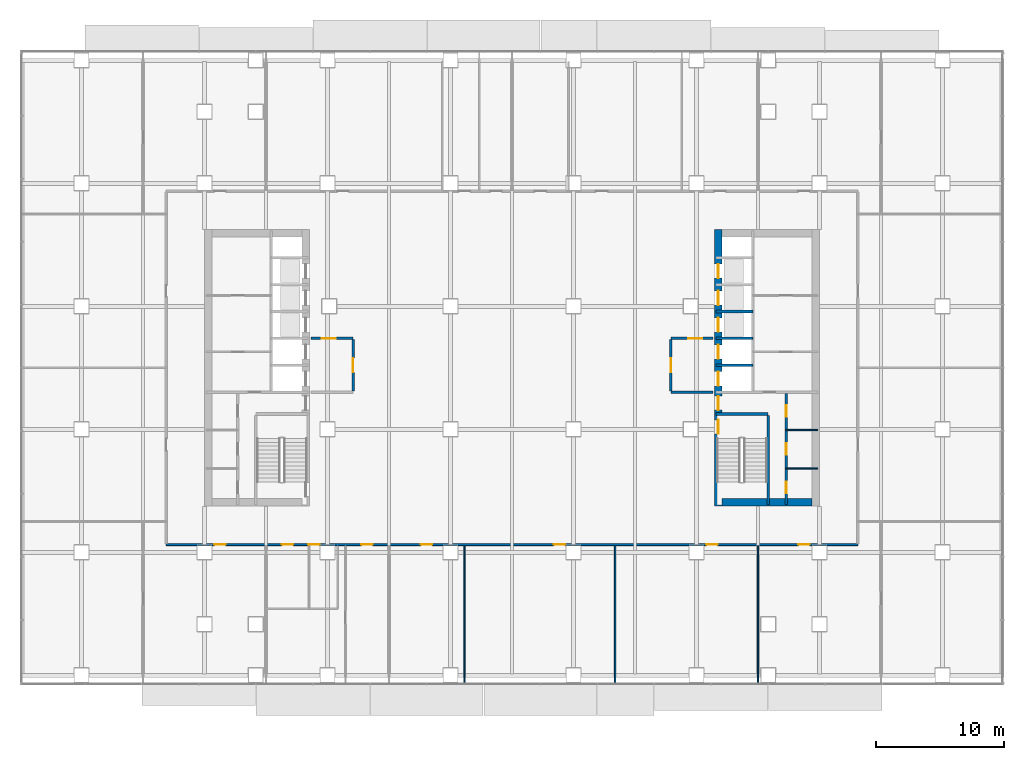
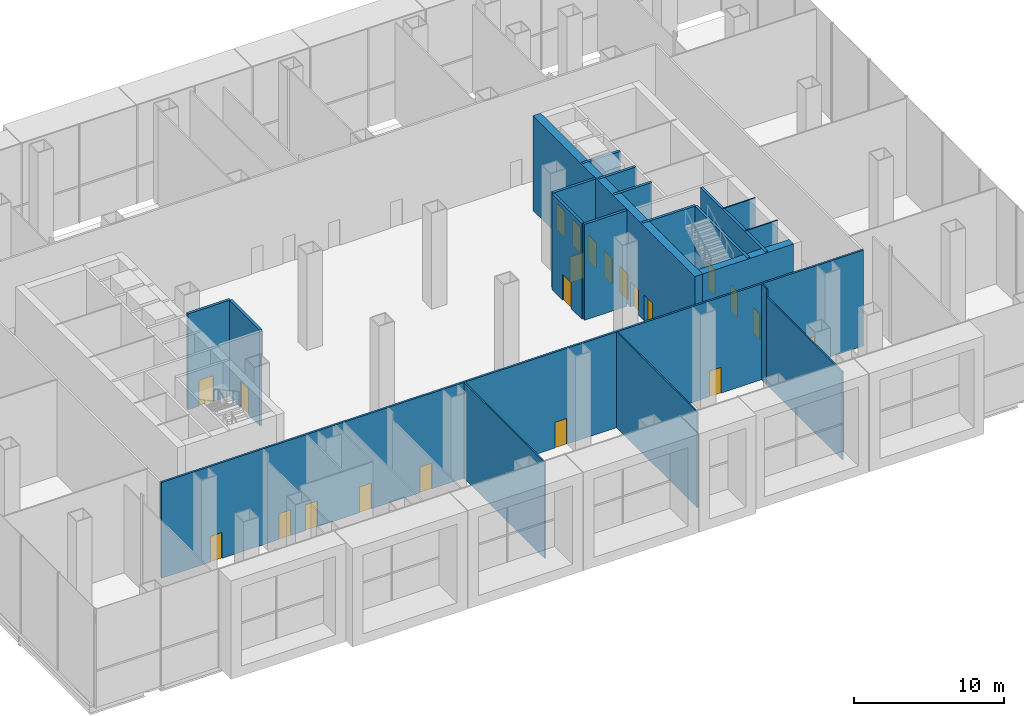
# One storey, part 16 of 24: 22 doors, 20 walls, 22 openings.
"""IFC4 building model written with IfcOpenShell, lengths in metres."""

from ifc_helpers import new_model, si_unit, direction, frame, frame_2d, origin, place, context, subcontext, project, spatial, rectangle, extrude, material, layer, layer_set, type_object, element, fill, save


model = new_model("IFC4")

# Units and contexts
model_context = context("Model", 3, precision=1e-05, world=origin(), true_north=direction((0.0, 1.0)))
body_context = subcontext(model_context, "Body", "Model", "MODEL_VIEW")
ifc_project = project(units=[si_unit("LENGTHUNIT", "METRE"), si_unit("AREAUNIT", "SQUARE_METRE"), si_unit("VOLUMEUNIT", "CUBIC_METRE"), si_unit("PLANEANGLEUNIT", "RADIAN"), si_unit("MASSUNIT", "GRAM", prefix="KILO")], contexts=[model_context])

# Site, building, storey
site_placement = place(None, origin())
site = spatial("IfcSite", under=ifc_project, at=site_placement, CompositionType="ELEMENT")
building_placement = place(site_placement, origin())
building = spatial("IfcBuilding", under=site, at=building_placement, Name="Cobrizo Arcos Hotel Tower", CompositionType="ELEMENT")
storey_placement = place(building_placement, frame((0.0, 0.0, 7.5)))
storey = spatial("IfcBuildingStorey", under=building, at=storey_placement, Name="L01", CompositionType="ELEMENT", Elevation=7.5)

# Wall, openings, doors
ifc_material_1 = material(Name="Gypsum board partition")
ifc_layer_1 = layer(ifc_material_1, 0.14990234375)
ifc_layer_set_1 = layer_set([ifc_layer_1], Name="Corridor wall EI 60 150")
wall_type_1 = type_object("IfcWallType", Name="Corridor wall EI 60 150", PredefinedType="PARTITIONING", material=ifc_layer_set_1)
wall_1_placement = place(storey_placement, frame((-27.0, -13.800048828125, 0.0), z_axis=(0.0, 0.0, 1.0), x_axis=(1.0, 0.0, 0.0)))
wall_1 = element("IfcWall", 1, at=wall_1_placement, inside=storey, type_object=wall_type_1, Name="Partition 002", PredefinedType="PARTITIONING", context=body_context, shape_type="SweptSolid", body=[
    extrude(rectangle(XDim=54.0, YDim=0.14990234375, at=frame_2d((27.0, 0.0))), origin(), (0.0, 0.0, 1.0), 7.800048828125),
])
opening_1_placement = place(wall_1_placement, frame((9.030029296875, 0.0, 0.0)))
opening_1 = element("IfcOpeningElement", 2, at=opening_1_placement, cuts=wall_1, Name="Opening ED-03", PredefinedType="OPENING", context=body_context, shape_type="SweptSolid", body=[
    extrude(rectangle(XDim=0.89990234375, YDim=2.10009765625, at=frame_2d((0.449951171875, 1.050048828125))), frame((0.0, 0.0869140625, 0.0), z_axis=(0.0, -1.0, 0.0), x_axis=(1.0, 0.0, 0.0)), (0.0, 0.0, 1.0), 0.173828125),
])
opening_2_placement = place(wall_1_placement, frame((11.080078125, 0.0, 0.0)))
opening_2 = element("IfcOpeningElement", 3, at=opening_2_placement, cuts=wall_1, Name="Opening ED-04", PredefinedType="OPENING", context=body_context, shape_type="SweptSolid", body=[
    extrude(rectangle(XDim=0.89990234375, YDim=2.10009765625, at=frame_2d((0.449951171875, 1.050048828125))), frame((0.0, 0.0869140625, 0.0), z_axis=(0.0, -1.0, 0.0), x_axis=(1.0, 0.0, 0.0)), (0.0, 0.0, 1.0), 0.173828125),
])
opening_3_placement = place(wall_1_placement, frame((19.89111328125, 0.0, 0.0)))
opening_3 = element("IfcOpeningElement", 4, at=opening_3_placement, cuts=wall_1, Name="Opening RD-16", PredefinedType="OPENING", context=body_context, shape_type="SweptSolid", body=[
    extrude(rectangle(XDim=0.89990234375, YDim=2.10009765625, at=frame_2d((0.449951171875, 1.050048828125))), frame((0.0, 0.0869140625, 0.0), z_axis=(0.0, -1.0, 0.0), x_axis=(1.0, 0.0, 0.0)), (0.0, 0.0, 1.0), 0.173828125),
])
opening_4_placement = place(wall_1_placement, frame((30.27392578125, 0.0, 0.0)))
opening_4 = element("IfcOpeningElement", 5, at=opening_4_placement, cuts=wall_1, Name="Opening RD-17", PredefinedType="OPENING", context=body_context, shape_type="SweptSolid", body=[
    extrude(rectangle(XDim=0.89990234375, YDim=2.10009765625, at=frame_2d((0.449951171875, 1.050048828125))), frame((0.0, 0.0869140625, 0.0), z_axis=(0.0, -1.0, 0.0), x_axis=(1.0, 0.0, 0.0)), (0.0, 0.0, 1.0), 0.173828125),
])
opening_5_placement = place(wall_1_placement, frame((3.75, 0.0, 0.0)))
opening_5 = element("IfcOpeningElement", 6, at=opening_5_placement, cuts=wall_1, Name="Opening RD-18", PredefinedType="OPENING", context=body_context, shape_type="SweptSolid", body=[
    extrude(rectangle(XDim=0.89990234375, YDim=2.10009765625, at=frame_2d((0.449951171875, 1.050048828125))), frame((0.0, 0.0869140625, 0.0), z_axis=(0.0, -1.0, 0.0), x_axis=(1.0, 0.0, 0.0)), (0.0, 0.0, 1.0), 0.173828125),
])
opening_6_placement = place(wall_1_placement, frame((49.35009765625, 0.0, 0.0)))
opening_6 = element("IfcOpeningElement", 7, at=opening_6_placement, cuts=wall_1, Name="Opening RD-22", PredefinedType="OPENING", context=body_context, shape_type="SweptSolid", body=[
    extrude(rectangle(XDim=0.89990234375, YDim=2.10009765625, at=frame_2d((0.449951171875, 1.050048828125))), frame((0.0, 0.0869140625, 0.0), z_axis=(0.0, -1.0, 0.0), x_axis=(1.0, 0.0, 0.0)), (0.0, 0.0, 1.0), 0.173828125),
])
opening_7_placement = place(wall_1_placement, frame((42.14990234375, 0.0, 0.0)))
opening_7 = element("IfcOpeningElement", 8, at=opening_7_placement, cuts=wall_1, Name="Opening RD-26", PredefinedType="OPENING", context=body_context, shape_type="SweptSolid", body=[
    extrude(rectangle(XDim=0.89990234375, YDim=2.10009765625, at=frame_2d((0.449951171875, 1.050048828125))), frame((0.0, 0.0869140625, 0.0), z_axis=(0.0, -1.0, 0.0), x_axis=(1.0, 0.0, 0.0)), (0.0, 0.0, 1.0), 0.173828125),
])
opening_8_placement = place(wall_1_placement, frame((15.239013671875, 0.0, 0.0)))
opening_8 = element("IfcOpeningElement", 9, at=opening_8_placement, cuts=wall_1, Name="Opening RD-27", PredefinedType="OPENING", context=body_context, shape_type="SweptSolid", body=[
    extrude(rectangle(XDim=0.89990234375, YDim=2.10009765625, at=frame_2d((0.449951171875, 1.050048828125))), frame((0.0, 0.0869140625, 0.0), z_axis=(0.0, -1.0, 0.0), x_axis=(1.0, 0.0, 0.0)), (0.0, 0.0, 1.0), 0.173828125),
])
ifc_material_2 = material(Name="Timber door leaf", Category="wood")
door_type_1 = type_object("IfcDoorType", Name="En-suite door 900x2100", OperationType="SINGLE_SWING_LEFT", PredefinedType="DOOR", material=ifc_material_2)
door_1_placement = place(opening_1_placement, origin())
door_1 = element("IfcDoor", 10, at=door_1_placement, inside=storey, type_object=door_type_1, Name="Door ED-03", OperationType="SINGLE_SWING_LEFT", OverallHeight=2.10009765625, OverallWidth=0.89990234375, PredefinedType="DOOR", context=body_context, shape_type="SweptSolid", body=[
    extrude(rectangle(XDim=0.89990234375, YDim=2.10009765625, at=frame_2d((0.449951171875, 1.050048828125))), frame((0.0, 0.02490234375, 0.0), z_axis=(0.0, -1.0, 0.0), x_axis=(1.0, 0.0, 0.0)), (0.0, 0.0, 1.0), 0.050048828125),
])
fill(opening_1, door_1)
door_2_placement = place(opening_2_placement, origin())
door_2 = element("IfcDoor", 11, at=door_2_placement, inside=storey, type_object=door_type_1, Name="Door ED-04", OperationType="SINGLE_SWING_LEFT", OverallHeight=2.10009765625, OverallWidth=0.89990234375, PredefinedType="DOOR", context=body_context, shape_type="SweptSolid", body=[
    extrude(rectangle(XDim=0.89990234375, YDim=2.10009765625, at=frame_2d((0.449951171875, 1.050048828125))), frame((0.0, 0.02490234375, 0.0), z_axis=(0.0, -1.0, 0.0), x_axis=(1.0, 0.0, 0.0)), (0.0, 0.0, 1.0), 0.050048828125),
])
fill(opening_2, door_2)
door_type_2 = type_object("IfcDoorType", Name="Room door FD30 900x2100", OperationType="SINGLE_SWING_LEFT", PredefinedType="DOOR", material=ifc_material_2)
door_3_placement = place(opening_3_placement, origin())
door_3 = element("IfcDoor", 12, at=door_3_placement, inside=storey, type_object=door_type_2, Name="Door RD-16", OperationType="SINGLE_SWING_RIGHT", OverallHeight=2.10009765625, OverallWidth=0.89990234375, PredefinedType="DOOR", context=body_context, shape_type="SweptSolid", body=[
    extrude(rectangle(XDim=0.89990234375, YDim=2.10009765625, at=frame_2d((0.449951171875, 1.050048828125))), frame((0.0, 0.02490234375, 0.0), z_axis=(0.0, -1.0, 0.0), x_axis=(1.0, 0.0, 0.0)), (0.0, 0.0, 1.0), 0.050048828125),
])
fill(opening_3, door_3)
door_4_placement = place(opening_4_placement, origin())
door_4 = element("IfcDoor", 13, at=door_4_placement, inside=storey, type_object=door_type_2, Name="Door RD-17", OperationType="SINGLE_SWING_RIGHT", OverallHeight=2.10009765625, OverallWidth=0.89990234375, PredefinedType="DOOR", context=body_context, shape_type="SweptSolid", body=[
    extrude(rectangle(XDim=0.89990234375, YDim=2.10009765625, at=frame_2d((0.449951171875, 1.050048828125))), frame((0.0, 0.02490234375, 0.0), z_axis=(0.0, -1.0, 0.0), x_axis=(1.0, 0.0, 0.0)), (0.0, 0.0, 1.0), 0.050048828125),
])
fill(opening_4, door_4)
door_5_placement = place(opening_5_placement, origin())
door_5 = element("IfcDoor", 14, at=door_5_placement, inside=storey, type_object=door_type_2, Name="Door RD-18", OperationType="SINGLE_SWING_RIGHT", OverallHeight=2.10009765625, OverallWidth=0.89990234375, PredefinedType="DOOR", context=body_context, shape_type="SweptSolid", body=[
    extrude(rectangle(XDim=0.89990234375, YDim=2.10009765625, at=frame_2d((0.449951171875, 1.050048828125))), frame((0.0, 0.02490234375, 0.0), z_axis=(0.0, -1.0, 0.0), x_axis=(1.0, 0.0, 0.0)), (0.0, 0.0, 1.0), 0.050048828125),
])
fill(opening_5, door_5)
door_6_placement = place(opening_6_placement, origin())
door_6 = element("IfcDoor", 15, at=door_6_placement, inside=storey, type_object=door_type_2, Name="Door RD-22", OperationType="SINGLE_SWING_LEFT", OverallHeight=2.10009765625, OverallWidth=0.89990234375, PredefinedType="DOOR", context=body_context, shape_type="SweptSolid", body=[
    extrude(rectangle(XDim=0.89990234375, YDim=2.10009765625, at=frame_2d((0.449951171875, 1.050048828125))), frame((0.0, 0.02490234375, 0.0), z_axis=(0.0, -1.0, 0.0), x_axis=(1.0, 0.0, 0.0)), (0.0, 0.0, 1.0), 0.050048828125),
])
fill(opening_6, door_6)
door_7_placement = place(opening_7_placement, origin())
door_7 = element("IfcDoor", 16, at=door_7_placement, inside=storey, type_object=door_type_2, Name="Door RD-26", OperationType="SINGLE_SWING_RIGHT", OverallHeight=2.10009765625, OverallWidth=0.89990234375, PredefinedType="DOOR", context=body_context, shape_type="SweptSolid", body=[
    extrude(rectangle(XDim=0.89990234375, YDim=2.10009765625, at=frame_2d((0.449951171875, 1.050048828125))), frame((0.0, 0.02490234375, 0.0), z_axis=(0.0, -1.0, 0.0), x_axis=(1.0, 0.0, 0.0)), (0.0, 0.0, 1.0), 0.050048828125),
])
fill(opening_7, door_7)
door_8_placement = place(opening_8_placement, origin())
door_8 = element("IfcDoor", 17, at=door_8_placement, inside=storey, type_object=door_type_2, Name="Door RD-27", OperationType="SINGLE_SWING_LEFT", OverallHeight=2.10009765625, OverallWidth=0.89990234375, PredefinedType="DOOR", context=body_context, shape_type="SweptSolid", body=[
    extrude(rectangle(XDim=0.89990234375, YDim=2.10009765625, at=frame_2d((0.449951171875, 1.050048828125))), frame((0.0, 0.02490234375, 0.0), z_axis=(0.0, -1.0, 0.0), x_axis=(1.0, 0.0, 0.0)), (0.0, 0.0, 1.0), 0.050048828125),
])
fill(opening_8, door_8)

# Walls
ifc_layer_2 = layer(ifc_material_1, 0.10009765625)
ifc_layer_set_2 = layer_set([ifc_layer_2], Name="Partition EI 30 100")
wall_type_2 = type_object("IfcWallType", Name="Partition EI 30 100", PredefinedType="PARTITIONING", material=ifc_layer_set_2)
for number, where, z_axis, x_axis, name in (
    (18, (21.39990234375, -7.85009765625, 0.0), (0.0, 0.0, 1.0), (1.0, 0.0, 0.0), "Partition 006"),
    (19, (21.39990234375, -4.85009765625, 0.0), (0.0, 0.0, 1.0), (1.0, 0.0, 0.0), "Partition 008"),
):
    element("IfcWall", number, at=place(storey_placement, frame(where, z_axis=z_axis, x_axis=x_axis)), inside=storey, type_object=wall_type_2, Name=name, PredefinedType="PARTITIONING", context=body_context, shape_type="SweptSolid", body=[
        extrude(rectangle(XDim=2.47998046875, YDim=0.10009765625, at=frame_2d((1.239990234375, 0.0))), origin(), (0.0, 0.0, 1.0), 7.699951171875),
    ])
for number, where, z_axis, x_axis, name in (
    (20, (-3.699951171875, -24.6298828125, 0.0), (0.0, 0.0, 1.0), (0.0, 1.0, 0.0), "Partition 057"),
    (21, (8.050048828125, -24.6298828125, 0.0), (0.0, 0.0, 1.0), (0.0, 1.0, 0.0), "Partition 062"),
):
    element("IfcWall", number, at=place(storey_placement, frame(where, z_axis=z_axis, x_axis=x_axis)), inside=storey, type_object=wall_type_2, Name=name, PredefinedType="PARTITIONING", context=body_context, shape_type="SweptSolid", body=[
        extrude(rectangle(XDim=10.7548828125, YDim=0.10009765625, at=frame_2d((5.37744140625, 0.0))), origin(), (0.0, 0.0, 1.0), 7.800048828125),
    ])
wall_2_placement = place(storey_placement, frame((19.199951171875, -24.6298828125, 0.0), z_axis=(0.0, 0.0, 1.0), x_axis=(0.0, 1.0, 0.0)))
element("IfcWall", 22, at=wall_2_placement, inside=storey, type_object=wall_type_2, Name="Partition 066", PredefinedType="PARTITIONING", context=body_context, shape_type="SweptSolid", body=[
    extrude(rectangle(XDim=10.076171875, YDim=0.10009765625, at=frame_2d((5.0380859375, 0.0))), origin(), (0.0, 0.0, 1.0), 7.18310546875),
])
wall_3_placement = place(storey_placement, frame((19.199951171875, -14.553955078125, 0.0), z_axis=(0.0, 0.0, 1.0), x_axis=(0.0, 1.0, 0.0)))
element("IfcWall", 23, at=wall_3_placement, inside=storey, type_object=wall_type_2, Name="Partition 067", PredefinedType="PARTITIONING", context=body_context, shape_type="SweptSolid", body=[
    extrude(rectangle(XDim=0.678955078125, YDim=0.10009765625, at=frame_2d((0.33935546875, 0.0))), origin(), (0.0, 0.0, 1.0), 7.800048828125),
])

# Wall, openings, doors
ifc_material_3 = material(Name="Concrete f'c 60 MPa", Category="concrete")
ifc_layer_3 = layer(ifc_material_3, 0.60009765625)
ifc_layer_set_3 = layer_set([ifc_layer_3], Name="RC core wall 600 f'c 60")
wall_type_3 = type_object("IfcWallType", Name="RC core wall 600 f'c 60", PredefinedType="SHEAR", material=ifc_layer_set_3)
wall_4_placement = place(storey_placement, frame((16.10009765625, -10.800048828125, 0.0), z_axis=(0.0, 0.0, 1.0), x_axis=(0.0, 1.0, 0.0)))
wall_4 = element("IfcWall", 24, at=wall_4_placement, inside=storey, type_object=wall_type_3, Name="Core wall CW1, east core, inner face, L01", PredefinedType="SHEAR", context=body_context, shape_type="SweptSolid", body=[
    extrude(rectangle(XDim=21.60009765625, YDim=0.60009765625, at=frame_2d((10.800048828125, 0.0))), origin(), (0.0, 0.0, 1.0), 7.699951171875),
])
opening_9_placement = place(wall_4_placement, frame((9.39990234375, 0.0, 0.0)))
opening_9 = element("IfcOpeningElement", 25, at=opening_9_placement, cuts=wall_4, Name="Opening LD-06", PredefinedType="OPENING", context=body_context, shape_type="SweptSolid", body=[
    extrude(rectangle(XDim=1.10009765625, YDim=2.10009765625, at=frame_2d((0.550048828125, 1.050048828125))), frame((0.0, 0.31201171875, 0.0), z_axis=(0.0, -1.0, 0.0), x_axis=(1.0, 0.0, 0.0)), (0.0, 0.0, 1.0), 0.6240234375),
])
opening_10_placement = place(wall_4_placement, frame((11.5, 0.0, 0.0)))
opening_10 = element("IfcOpeningElement", 26, at=opening_10_placement, cuts=wall_4, Name="Opening LD-07", PredefinedType="OPENING", context=body_context, shape_type="SweptSolid", body=[
    extrude(rectangle(XDim=1.10009765625, YDim=2.10009765625, at=frame_2d((0.550048828125, 1.050048828125))), frame((0.0, 0.31201171875, 0.0), z_axis=(0.0, -1.0, 0.0), x_axis=(1.0, 0.0, 0.0)), (0.0, 0.0, 1.0), 0.6240234375),
])
opening_11_placement = place(wall_4_placement, frame((13.60009765625, 0.0, 0.0)))
opening_11 = element("IfcOpeningElement", 27, at=opening_11_placement, cuts=wall_4, Name="Opening LD-08", PredefinedType="OPENING", context=body_context, shape_type="SweptSolid", body=[
    extrude(rectangle(XDim=1.10009765625, YDim=2.10009765625, at=frame_2d((0.550048828125, 1.050048828125))), frame((0.0, 0.31201171875, 0.0), z_axis=(0.0, -1.0, 0.0), x_axis=(1.0, 0.0, 0.0)), (0.0, 0.0, 1.0), 0.6240234375),
])
opening_12_placement = place(wall_4_placement, frame((15.699951171875, 0.0, 0.0)))
opening_12 = element("IfcOpeningElement", 28, at=opening_12_placement, cuts=wall_4, Name="Opening LD-09", PredefinedType="OPENING", context=body_context, shape_type="SweptSolid", body=[
    extrude(rectangle(XDim=1.10009765625, YDim=2.10009765625, at=frame_2d((0.550048828125, 1.050048828125))), frame((0.0, 0.31201171875, 0.0), z_axis=(0.0, -1.0, 0.0), x_axis=(1.0, 0.0, 0.0)), (0.0, 0.0, 1.0), 0.6240234375),
])
opening_13_placement = place(wall_4_placement, frame((17.800048828125, 0.0, 0.0)))
opening_13 = element("IfcOpeningElement", 29, at=opening_13_placement, cuts=wall_4, Name="Opening LD-10", PredefinedType="OPENING", context=body_context, shape_type="SweptSolid", body=[
    extrude(rectangle(XDim=1.10009765625, YDim=2.10009765625, at=frame_2d((0.550048828125, 1.050048828125))), frame((0.0, 0.31201171875, 0.0), z_axis=(0.0, -1.0, 0.0), x_axis=(1.0, 0.0, 0.0)), (0.0, 0.0, 1.0), 0.6240234375),
])
opening_14_placement = place(wall_4_placement, frame((5.64208984375, 0.0, 0.0)))
opening_14 = element("IfcOpeningElement", 30, at=opening_14_placement, cuts=wall_4, Name="Opening SD-02", PredefinedType="OPENING", context=body_context, shape_type="SweptSolid", body=[
    extrude(rectangle(XDim=1.10009765625, YDim=2.10009765625, at=frame_2d((0.550048828125, 1.050048828125))), frame((0.0, 0.31201171875, 0.0), z_axis=(0.0, -1.0, 0.0), x_axis=(1.0, 0.0, 0.0)), (0.0, 0.0, 1.0), 0.6240234375),
])
opening_15_placement = place(wall_4_placement, frame((7.5, 0.0, 0.0)))
opening_15 = element("IfcOpeningElement", 31, at=opening_15_placement, cuts=wall_4, Name="Opening FD-04", PredefinedType="OPENING", context=body_context, shape_type="SweptSolid", body=[
    extrude(rectangle(XDim=1.10009765625, YDim=2.10009765625, at=frame_2d((0.550048828125, 1.050048828125))), frame((0.0, 0.31201171875, 0.0), z_axis=(0.0, -1.0, 0.0), x_axis=(1.0, 0.0, 0.0)), (0.0, 0.0, 1.0), 0.6240234375),
])
ifc_material_4 = material(Name="Steel door leaf", Category="steel")
door_type_3 = type_object("IfcDoorType", Name="Fire door FD60 1100x2100", OperationType="SINGLE_SWING_LEFT", PredefinedType="DOOR", material=ifc_material_4)
door_9_placement = place(opening_15_placement, origin())
door_9 = element("IfcDoor", 32, at=door_9_placement, inside=storey, type_object=door_type_3, Name="Door FD-04", OperationType="SINGLE_SWING_RIGHT", OverallHeight=2.10009765625, OverallWidth=1.10009765625, PredefinedType="DOOR", context=body_context, shape_type="SweptSolid", body=[
    extrude(rectangle(XDim=1.10009765625, YDim=2.10009765625, at=frame_2d((0.550048828125, 1.050048828125))), frame((0.0, 0.02490234375, 0.0), z_axis=(0.0, -1.0, 0.0), x_axis=(1.0, 0.0, 0.0)), (0.0, 0.0, 1.0), 0.050048828125),
])
fill(opening_15, door_9)
door_type_4 = type_object("IfcDoorType", Name="Lift landing door 1100x2100", OperationType="SLIDING_TO_LEFT", PredefinedType="DOOR", material=ifc_material_4)
door_10_placement = place(opening_9_placement, origin())
door_10 = element("IfcDoor", 33, at=door_10_placement, inside=storey, type_object=door_type_4, Name="Lift landing door LD-06", OperationType="SLIDING_TO_LEFT", OverallHeight=2.10009765625, OverallWidth=1.10009765625, PredefinedType="DOOR", context=body_context, shape_type="SweptSolid", body=[
    extrude(rectangle(XDim=1.10009765625, YDim=2.10009765625, at=frame_2d((0.550048828125, 1.050048828125))), frame((0.0, 0.02490234375, 0.0), z_axis=(0.0, -1.0, 0.0), x_axis=(1.0, 0.0, 0.0)), (0.0, 0.0, 1.0), 0.050048828125),
])
fill(opening_9, door_10)
door_11_placement = place(opening_10_placement, origin())
door_11 = element("IfcDoor", 34, at=door_11_placement, inside=storey, type_object=door_type_4, Name="Lift landing door LD-07", OperationType="SLIDING_TO_LEFT", OverallHeight=2.10009765625, OverallWidth=1.10009765625, PredefinedType="DOOR", context=body_context, shape_type="SweptSolid", body=[
    extrude(rectangle(XDim=1.10009765625, YDim=2.10009765625, at=frame_2d((0.550048828125, 1.050048828125))), frame((0.0, 0.02490234375, 0.0), z_axis=(0.0, -1.0, 0.0), x_axis=(1.0, 0.0, 0.0)), (0.0, 0.0, 1.0), 0.050048828125),
])
fill(opening_10, door_11)
door_12_placement = place(opening_11_placement, origin())
door_12 = element("IfcDoor", 35, at=door_12_placement, inside=storey, type_object=door_type_4, Name="Lift landing door LD-08", OperationType="SLIDING_TO_LEFT", OverallHeight=2.10009765625, OverallWidth=1.10009765625, PredefinedType="DOOR", context=body_context, shape_type="SweptSolid", body=[
    extrude(rectangle(XDim=1.10009765625, YDim=2.10009765625, at=frame_2d((0.550048828125, 1.050048828125))), frame((0.0, 0.02490234375, 0.0), z_axis=(0.0, -1.0, 0.0), x_axis=(1.0, 0.0, 0.0)), (0.0, 0.0, 1.0), 0.050048828125),
])
fill(opening_11, door_12)
door_13_placement = place(opening_12_placement, origin())
door_13 = element("IfcDoor", 36, at=door_13_placement, inside=storey, type_object=door_type_4, Name="Lift landing door LD-09", OperationType="SLIDING_TO_LEFT", OverallHeight=2.10009765625, OverallWidth=1.10009765625, PredefinedType="DOOR", context=body_context, shape_type="SweptSolid", body=[
    extrude(rectangle(XDim=1.10009765625, YDim=2.10009765625, at=frame_2d((0.550048828125, 1.050048828125))), frame((0.0, 0.02490234375, 0.0), z_axis=(0.0, -1.0, 0.0), x_axis=(1.0, 0.0, 0.0)), (0.0, 0.0, 1.0), 0.050048828125),
])
fill(opening_12, door_13)
door_14_placement = place(opening_13_placement, origin())
door_14 = element("IfcDoor", 37, at=door_14_placement, inside=storey, type_object=door_type_4, Name="Lift landing door LD-10", OperationType="SLIDING_TO_LEFT", OverallHeight=2.10009765625, OverallWidth=1.10009765625, PredefinedType="DOOR", context=body_context, shape_type="SweptSolid", body=[
    extrude(rectangle(XDim=1.10009765625, YDim=2.10009765625, at=frame_2d((0.550048828125, 1.050048828125))), frame((0.0, 0.02490234375, 0.0), z_axis=(0.0, -1.0, 0.0), x_axis=(1.0, 0.0, 0.0)), (0.0, 0.0, 1.0), 0.050048828125),
])
fill(opening_13, door_14)
door_type_5 = type_object("IfcDoorType", Name="Stair door FD60S 1100x2100", OperationType="SINGLE_SWING_LEFT", PredefinedType="DOOR", material=ifc_material_4)
door_15_placement = place(opening_14_placement, origin())
door_15 = element("IfcDoor", 38, at=door_15_placement, inside=storey, type_object=door_type_5, Name="Door SD-02", OperationType="SINGLE_SWING_RIGHT", OverallHeight=2.10009765625, OverallWidth=1.10009765625, PredefinedType="DOOR", context=body_context, shape_type="SweptSolid", body=[
    extrude(rectangle(XDim=1.10009765625, YDim=2.10009765625, at=frame_2d((0.550048828125, 1.050048828125))), frame((0.0, 0.02490234375, 0.0), z_axis=(0.0, -1.0, 0.0), x_axis=(1.0, 0.0, 0.0)), (0.0, 0.0, 1.0), 0.050048828125),
])
fill(opening_14, door_15)

# Walls
wall_5_placement = place(storey_placement, frame((16.39990234375, -10.5, 0.0), z_axis=(0.0, 0.0, 1.0), x_axis=(1.0, 0.0, 0.0)))
element("IfcWall", 39, at=wall_5_placement, inside=storey, type_object=wall_type_3, Name="Core wall CW1, east core, south end, L01", PredefinedType="SHEAR", context=body_context, shape_type="SweptSolid", body=[
    extrude(rectangle(XDim=7.0, YDim=0.60009765625, at=frame_2d((3.5, 0.0))), origin(), (0.0, 0.0, 1.0), 7.699951171875),
])
ifc_layer_4 = layer(ifc_material_1, 0.199951171875)
ifc_layer_set_4 = layer_set([ifc_layer_4], Name="Shaft wall EI 120 200")
wall_type_4 = type_object("IfcWallType", Name="Shaft wall EI 120 200", PredefinedType="PARTITIONING", material=ifc_layer_set_4)
wall_6_placement = place(storey_placement, frame((12.39990234375, -1.89990234375, 0.0), z_axis=(0.0, 0.0, 1.0), x_axis=(1.0, 0.0, 0.0)))
element("IfcWall", 40, at=wall_6_placement, inside=storey, type_object=wall_type_4, Name="Partition 013", PredefinedType="PARTITIONING", context=body_context, shape_type="SweptSolid", body=[
    extrude(rectangle(XDim=3.280029296875, YDim=0.199951171875, at=frame_2d((1.64013671875, 0.0))), origin(), (0.0, 0.0, 1.0), 7.800048828125),
])
wall_7_placement = place(storey_placement, frame((15.919921875, 0.199951171875, 0.0), z_axis=(0.0, 0.0, 1.0), x_axis=(1.0, 0.0, 0.0)))
element("IfcWall", 41, at=wall_7_placement, inside=storey, type_object=wall_type_4, Name="Partition 018", PredefinedType="PARTITIONING", context=body_context, shape_type="SweptSolid", body=[
    extrude(rectangle(XDim=2.880126953125, YDim=0.199951171875, at=frame_2d((1.43994140625, 0.0))), origin(), (0.0, 0.0, 1.0), 7.699951171875),
])

# Wall, opening, door
wall_8_placement = place(storey_placement, frame((-15.679931640625, 2.300048828125, 0.0), z_axis=(0.0, 0.0, 1.0), x_axis=(1.0, 0.0, 0.0)))
wall_8 = element("IfcWall", 42, at=wall_8_placement, inside=storey, type_object=wall_type_4, Name="Partition 022", PredefinedType="PARTITIONING", context=body_context, shape_type="SweptSolid", body=[
    extrude(rectangle(XDim=3.280029296875, YDim=0.199951171875, at=frame_2d((1.64013671875, 0.0))), origin(), (0.0, 0.0, 1.0), 7.800048828125),
])
opening_16_placement = place(wall_8_placement, frame((0.840087890625, 0.0, 0.0)))
opening_16 = element("IfcOpeningElement", 43, at=opening_16_placement, cuts=wall_8, Name="Opening FD-03", PredefinedType="OPENING", context=body_context, shape_type="SweptSolid", body=[
    extrude(rectangle(XDim=1.10009765625, YDim=2.10009765625, at=frame_2d((0.550048828125, 1.050048828125))), frame((0.0, 0.112060546875, 0.0), z_axis=(0.0, -1.0, 0.0), x_axis=(1.0, 0.0, 0.0)), (0.0, 0.0, 1.0), 0.223876953125),
])
door_16_placement = place(opening_16_placement, origin())
door_16 = element("IfcDoor", 44, at=door_16_placement, inside=storey, type_object=door_type_3, Name="Door FD-03", OperationType="SINGLE_SWING_RIGHT", OverallHeight=2.10009765625, OverallWidth=1.10009765625, PredefinedType="DOOR", context=body_context, shape_type="SweptSolid", body=[
    extrude(rectangle(XDim=1.10009765625, YDim=2.10009765625, at=frame_2d((0.550048828125, 1.050048828125))), frame((0.0, 0.02490234375, 0.0), z_axis=(0.0, -1.0, 0.0), x_axis=(1.0, 0.0, 0.0)), (0.0, 0.0, 1.0), 0.050048828125),
])
fill(opening_16, door_16)

wall_9_placement = place(storey_placement, frame((12.39990234375, 2.300048828125, 0.0), z_axis=(0.0, 0.0, 1.0), x_axis=(1.0, 0.0, 0.0)))
wall_9 = element("IfcWall", 45, at=wall_9_placement, inside=storey, type_object=wall_type_4, Name="Partition 023", PredefinedType="PARTITIONING", context=body_context, shape_type="SweptSolid", body=[
    extrude(rectangle(XDim=3.280029296875, YDim=0.199951171875, at=frame_2d((1.64013671875, 0.0))), origin(), (0.0, 0.0, 1.0), 7.800048828125),
])
opening_17_placement = place(wall_9_placement, frame((1.340087890625, 0.0, 0.0)))
opening_17 = element("IfcOpeningElement", 46, at=opening_17_placement, cuts=wall_9, Name="Opening FD-06", PredefinedType="OPENING", context=body_context, shape_type="SweptSolid", body=[
    extrude(rectangle(XDim=1.10009765625, YDim=2.10009765625, at=frame_2d((0.550048828125, 1.050048828125))), frame((0.0, 0.112060546875, 0.0), z_axis=(0.0, -1.0, 0.0), x_axis=(1.0, 0.0, 0.0)), (0.0, 0.0, 1.0), 0.223876953125),
])
door_17_placement = place(opening_17_placement, origin())
door_17 = element("IfcDoor", 47, at=door_17_placement, inside=storey, type_object=door_type_3, Name="Door FD-06", OperationType="SINGLE_SWING_RIGHT", OverallHeight=2.10009765625, OverallWidth=1.10009765625, PredefinedType="DOOR", context=body_context, shape_type="SweptSolid", body=[
    extrude(rectangle(XDim=1.10009765625, YDim=2.10009765625, at=frame_2d((0.550048828125, 1.050048828125))), frame((0.0, 0.02490234375, 0.0), z_axis=(0.0, -1.0, 0.0), x_axis=(1.0, 0.0, 0.0)), (0.0, 0.0, 1.0), 0.050048828125),
])
fill(opening_17, door_17)

# Walls
for number, where, z_axis, x_axis, name in (
    (48, (15.919921875, 2.300048828125, 0.0), (0.0, 0.0, 1.0), (1.0, 0.0, 0.0), "Partition 024"),
    (49, (15.919921875, 4.39990234375, 0.0), (0.0, 0.0, 1.0), (1.0, 0.0, 0.0), "Partition 026"),
):
    element("IfcWall", number, at=place(storey_placement, frame(where, z_axis=z_axis, x_axis=x_axis)), inside=storey, type_object=wall_type_4, Name=name, PredefinedType="PARTITIONING", context=body_context, shape_type="SweptSolid", body=[
        extrude(rectangle(XDim=2.880126953125, YDim=0.199951171875, at=frame_2d((1.43994140625, 0.0))), origin(), (0.0, 0.0, 1.0), 7.699951171875),
    ])

# Wall, opening, door
wall_10_placement = place(storey_placement, frame((-12.39990234375, -1.800048828125, 0.0), z_axis=(0.0, 0.0, 1.0), x_axis=(0.0, 1.0, 0.0)))
wall_10 = element("IfcWall", 50, at=wall_10_placement, inside=storey, type_object=wall_type_4, Name="Partition 053", PredefinedType="PARTITIONING", context=body_context, shape_type="SweptSolid", body=[
    extrude(rectangle(XDim=4.0, YDim=0.199951171875, at=frame_2d((2.0, 0.0))), origin(), (0.0, 0.0, 1.0), 7.800048828125),
])
opening_18_placement = place(wall_10_placement, frame((1.449951171875, 0.0, 0.0)))
opening_18 = element("IfcOpeningElement", 51, at=opening_18_placement, cuts=wall_10, Name="Opening FD-02", PredefinedType="OPENING", context=body_context, shape_type="SweptSolid", body=[
    extrude(rectangle(XDim=1.10009765625, YDim=2.10009765625, at=frame_2d((0.550048828125, 1.050048828125))), frame((0.0, 0.112060546875, 0.0), z_axis=(0.0, -1.0, 0.0), x_axis=(1.0, 0.0, 0.0)), (0.0, 0.0, 1.0), 0.223876953125),
])
door_18_placement = place(opening_18_placement, origin())
door_18 = element("IfcDoor", 52, at=door_18_placement, inside=storey, type_object=door_type_3, Name="Door FD-02", OperationType="SINGLE_SWING_RIGHT", OverallHeight=2.10009765625, OverallWidth=1.10009765625, PredefinedType="DOOR", context=body_context, shape_type="SweptSolid", body=[
    extrude(rectangle(XDim=1.10009765625, YDim=2.10009765625, at=frame_2d((0.550048828125, 1.050048828125))), frame((0.0, 0.02490234375, 0.0), z_axis=(0.0, -1.0, 0.0), x_axis=(1.0, 0.0, 0.0)), (0.0, 0.0, 1.0), 0.050048828125),
])
fill(opening_18, door_18)

wall_11_placement = place(storey_placement, frame((12.39990234375, -1.800048828125, 0.0), z_axis=(0.0, 0.0, 1.0), x_axis=(0.0, 1.0, 0.0)))
wall_11 = element("IfcWall", 53, at=wall_11_placement, inside=storey, type_object=wall_type_4, Name="Partition 063", PredefinedType="PARTITIONING", context=body_context, shape_type="SweptSolid", body=[
    extrude(rectangle(XDim=4.0, YDim=0.199951171875, at=frame_2d((2.0, 0.0))), origin(), (0.0, 0.0, 1.0), 7.800048828125),
])
opening_19_placement = place(wall_11_placement, frame((1.449951171875, 0.0, 0.0)))
opening_19 = element("IfcOpeningElement", 54, at=opening_19_placement, cuts=wall_11, Name="Opening FD-05", PredefinedType="OPENING", context=body_context, shape_type="SweptSolid", body=[
    extrude(rectangle(XDim=1.10009765625, YDim=2.10009765625, at=frame_2d((0.550048828125, 1.050048828125))), frame((0.0, 0.112060546875, 0.0), z_axis=(0.0, -1.0, 0.0), x_axis=(1.0, 0.0, 0.0)), (0.0, 0.0, 1.0), 0.223876953125),
])
door_19_placement = place(opening_19_placement, origin())
door_19 = element("IfcDoor", 55, at=door_19_placement, inside=storey, type_object=door_type_3, Name="Door FD-05", OperationType="SINGLE_SWING_RIGHT", OverallHeight=2.10009765625, OverallWidth=1.10009765625, PredefinedType="DOOR", context=body_context, shape_type="SweptSolid", body=[
    extrude(rectangle(XDim=1.10009765625, YDim=2.10009765625, at=frame_2d((0.550048828125, 1.050048828125))), frame((0.0, 0.02490234375, 0.0), z_axis=(0.0, -1.0, 0.0), x_axis=(1.0, 0.0, 0.0)), (0.0, 0.0, 1.0), 0.050048828125),
])
fill(opening_19, door_19)

# Wall, openings, doors
wall_12_placement = place(storey_placement, frame((21.39990234375, -10.679931640625, 0.0), z_axis=(0.0, 0.0, 1.0), x_axis=(0.0, 1.0, 0.0)))
wall_12 = element("IfcWall", 56, at=wall_12_placement, inside=storey, type_object=wall_type_4, Name="Partition 071", PredefinedType="PARTITIONING", context=body_context, shape_type="SweptSolid", body=[
    extrude(rectangle(XDim=8.679931640625, YDim=0.199951171875, at=frame_2d((4.33984375, 0.0))), origin(), (0.0, 0.0, 1.0), 7.699951171875),
])
opening_20_placement = place(wall_12_placement, frame((0.89892578125, 0.0, 0.0)))
opening_20 = element("IfcOpeningElement", 57, at=opening_20_placement, cuts=wall_12, Name="Opening RD-06", PredefinedType="OPENING", context=body_context, shape_type="SweptSolid", body=[
    extrude(rectangle(XDim=0.89990234375, YDim=2.10009765625, at=frame_2d((0.449951171875, 1.050048828125))), frame((0.0, 0.112060546875, 0.0), z_axis=(0.0, -1.0, 0.0), x_axis=(1.0, 0.0, 0.0)), (0.0, 0.0, 1.0), 0.223876953125),
])
opening_21_placement = place(wall_12_placement, frame((3.8798828125, 0.0, 0.0)))
opening_21 = element("IfcOpeningElement", 58, at=opening_21_placement, cuts=wall_12, Name="Opening ED-02", PredefinedType="OPENING", context=body_context, shape_type="SweptSolid", body=[
    extrude(rectangle(XDim=0.89990234375, YDim=2.10009765625, at=frame_2d((0.449951171875, 1.050048828125))), frame((0.0, 0.112060546875, 0.0), z_axis=(0.0, -1.0, 0.0), x_axis=(1.0, 0.0, 0.0)), (0.0, 0.0, 1.0), 0.223876953125),
])
opening_22_placement = place(wall_12_placement, frame((6.862060546875, 0.0, 0.0)))
opening_22 = element("IfcOpeningElement", 59, at=opening_22_placement, cuts=wall_12, Name="Opening RD-07", PredefinedType="OPENING", context=body_context, shape_type="SweptSolid", body=[
    extrude(rectangle(XDim=0.89990234375, YDim=2.10009765625, at=frame_2d((0.449951171875, 1.050048828125))), frame((0.0, 0.112060546875, 0.0), z_axis=(0.0, -1.0, 0.0), x_axis=(1.0, 0.0, 0.0)), (0.0, 0.0, 1.0), 0.223876953125),
])
door_20_placement = place(opening_21_placement, origin())
door_20 = element("IfcDoor", 60, at=door_20_placement, inside=storey, type_object=door_type_1, Name="Door ED-02", OperationType="SINGLE_SWING_RIGHT", OverallHeight=2.10009765625, OverallWidth=0.89990234375, PredefinedType="DOOR", context=body_context, shape_type="SweptSolid", body=[
    extrude(rectangle(XDim=0.89990234375, YDim=2.10009765625, at=frame_2d((0.449951171875, 1.050048828125))), frame((0.0, 0.02490234375, 0.0), z_axis=(0.0, -1.0, 0.0), x_axis=(1.0, 0.0, 0.0)), (0.0, 0.0, 1.0), 0.050048828125),
])
fill(opening_21, door_20)
door_21_placement = place(opening_20_placement, origin())
door_21 = element("IfcDoor", 61, at=door_21_placement, inside=storey, type_object=door_type_2, Name="Door RD-06", OperationType="SINGLE_SWING_LEFT", OverallHeight=2.10009765625, OverallWidth=0.89990234375, PredefinedType="DOOR", context=body_context, shape_type="SweptSolid", body=[
    extrude(rectangle(XDim=0.89990234375, YDim=2.10009765625, at=frame_2d((0.449951171875, 1.050048828125))), frame((0.0, 0.02490234375, 0.0), z_axis=(0.0, -1.0, 0.0), x_axis=(1.0, 0.0, 0.0)), (0.0, 0.0, 1.0), 0.050048828125),
])
fill(opening_20, door_21)
door_22_placement = place(opening_22_placement, origin())
door_22 = element("IfcDoor", 62, at=door_22_placement, inside=storey, type_object=door_type_2, Name="Door RD-07", OperationType="SINGLE_SWING_LEFT", OverallHeight=2.10009765625, OverallWidth=0.89990234375, PredefinedType="DOOR", context=body_context, shape_type="SweptSolid", body=[
    extrude(rectangle(XDim=0.89990234375, YDim=2.10009765625, at=frame_2d((0.449951171875, 1.050048828125))), frame((0.0, 0.02490234375, 0.0), z_axis=(0.0, -1.0, 0.0), x_axis=(1.0, 0.0, 0.0)), (0.0, 0.0, 1.0), 0.050048828125),
])
fill(opening_22, door_22)

# Walls
ifc_material_5 = material(Name="Concrete f'c 40 MPa", Category="concrete")
ifc_layer_5 = layer(ifc_material_5, 0.199951171875)
ifc_layer_set_5 = layer_set([ifc_layer_5], Name="Stair shaft wall 200")
wall_type_5 = type_object("IfcWallType", Name="Stair shaft wall 200", PredefinedType="SHEAR", material=ifc_layer_set_5)
wall_13_placement = place(storey_placement, frame((15.919921875, -3.60009765625, 0.0), z_axis=(0.0, 0.0, 1.0), x_axis=(1.0, 0.0, 0.0)))
element("IfcWall", 63, at=wall_13_placement, inside=storey, type_object=wall_type_5, Name="Stair shaft wall E", PredefinedType="SHEAR", context=body_context, shape_type="SweptSolid", body=[
    extrude(rectangle(XDim=4.080078125, YDim=0.199951171875, at=frame_2d((2.0400390625, 0.0))), origin(), (0.0, 0.0, 1.0), 7.699951171875),
])
wall_14_placement = place(storey_placement, frame((20.0, -10.679931640625, 0.0), z_axis=(0.0, 0.0, 1.0), x_axis=(0.0, 1.0, 0.0)))
element("IfcWall", 64, at=wall_14_placement, inside=storey, type_object=wall_type_5, Name="Stair shaft wall E", PredefinedType="SHEAR", context=body_context, shape_type="SweptSolid", body=[
    extrude(rectangle(XDim=6.97998046875, YDim=0.199951171875, at=frame_2d((3.489990234375, 0.0))), origin(), (0.0, 0.0, 1.0), 7.699951171875),
])

save(model, "model.ifc")
